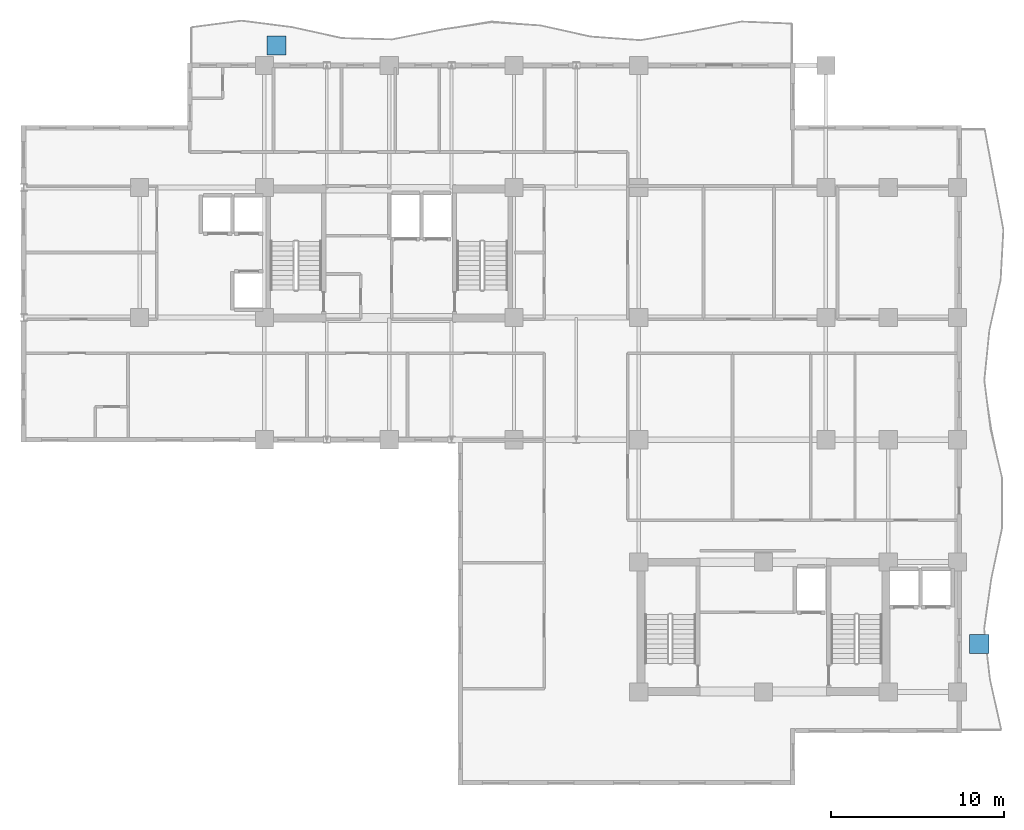
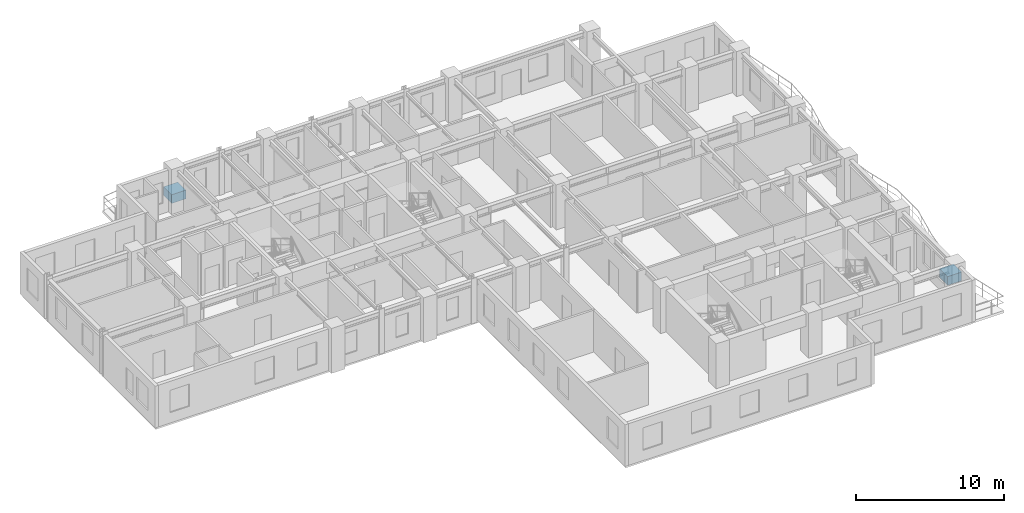
# One storey, part 10 of 13: 2 discrete accessories.
"""IFC4 building model written with IfcOpenShell, lengths in metres."""

from ifc_helpers import new_model, si_unit, direction, frame, origin, origin_2d, place, context, subcontext, project, spatial, rectangle, extrude, source, transform, mapped, material, type_object, element, save


model = new_model("IFC4")

# Units and contexts
model_context = context("Model", 3, precision=1e-05, world=origin(), true_north=direction((0.0, 1.0)))
body_context = subcontext(model_context, "Body", "Model", "MODEL_VIEW")
ifc_project = project(units=[si_unit("LENGTHUNIT", "METRE"), si_unit("AREAUNIT", "SQUARE_METRE"), si_unit("VOLUMEUNIT", "CUBIC_METRE"), si_unit("PLANEANGLEUNIT", "RADIAN"), si_unit("MASSUNIT", "GRAM", prefix="KILO")], contexts=[model_context])

# Site, building, storey
site_placement = place(None, origin())
site = spatial("IfcSite", under=ifc_project, at=site_placement, CompositionType="ELEMENT")
building_placement = place(site_placement, origin())
building = spatial("IfcBuilding", under=site, at=building_placement, Name="Kaliganga Portal Commons", CompositionType="ELEMENT")
storey_placement = place(building_placement, frame((0.0, 0.0, 177.199951171875)))
storey = spatial("IfcBuildingStorey", under=building, at=storey_placement, Name="L45", CompositionType="ELEMENT", Elevation=177.199951171875)

# Discrete accessories
ifc_material = material(Name="Precast concrete C40/50", Category="concrete")
discrete_accessory_type = type_object("IfcDiscreteAccessoryType", Name="DAC-PLANTER-RC", PredefinedType="USERDEFINED", material=ifc_material)
shared_shape = source(origin(), body_context, "Body", "SweptSolid", [
    extrude(rectangle(XDim=1.10009765625, YDim=1.10009765625, at=origin_2d()), origin(), (0.0, 0.0, 1.0), 0.719970703125),
])
for number, where, z_axis, x_axis, name in (
    (1, (15.10009765625, 44.35009765625, 0.0), (0.0, 0.0, 1.0), (1.0, 0.0, 0.0), "Structural Tree Planter L45 balc_north"),
    (2, (55.64990234375, 9.800048828125, 0.0), (0.0, 0.0, 1.0), (1.0, 0.0, 0.0), "Structural Tree Planter L45 balc_east"),
):
    element("IfcDiscreteAccessory", number, at=place(storey_placement, frame(where, z_axis=z_axis, x_axis=x_axis)), inside=storey, type_object=discrete_accessory_type, Name=name, ObjectType="PLANTER", PredefinedType="USERDEFINED", context=body_context, shape_type="MappedRepresentation", body=[
        mapped(shared_shape, transform((0.0, 0.0, 0.0), x_axis=(1.0, 0.0, 0.0), y_axis=(0.0, 1.0, 0.0), z_axis=(0.0, 0.0, 1.0), scale=1.0)),
    ])

save(model, "model.ifc")
